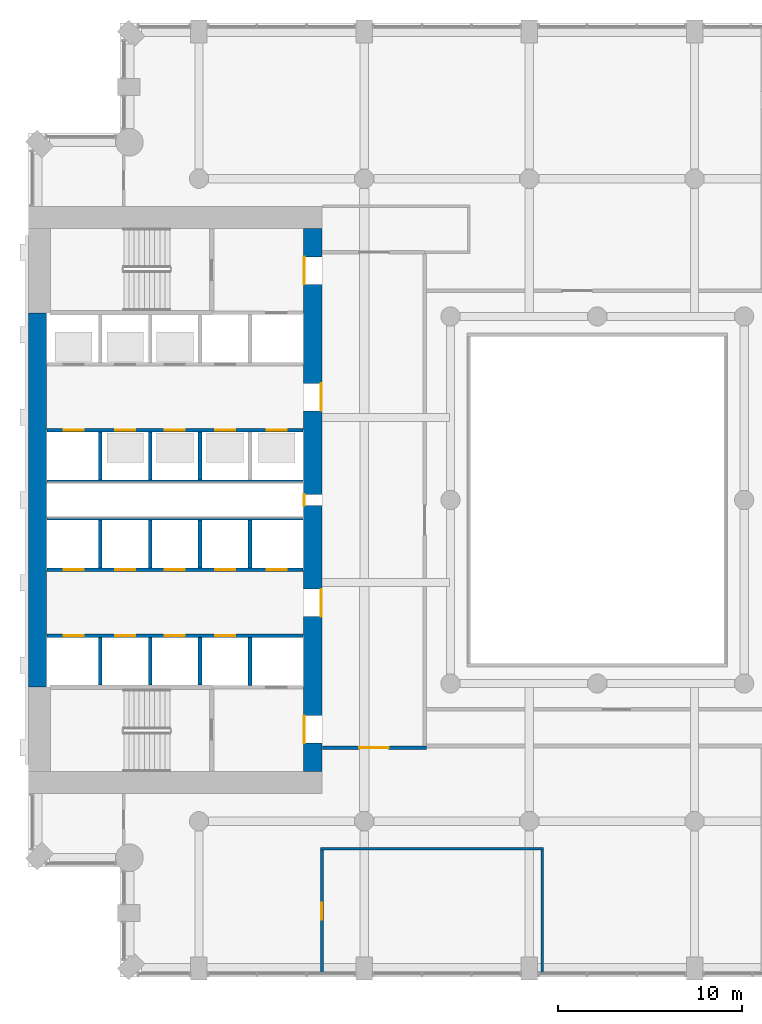
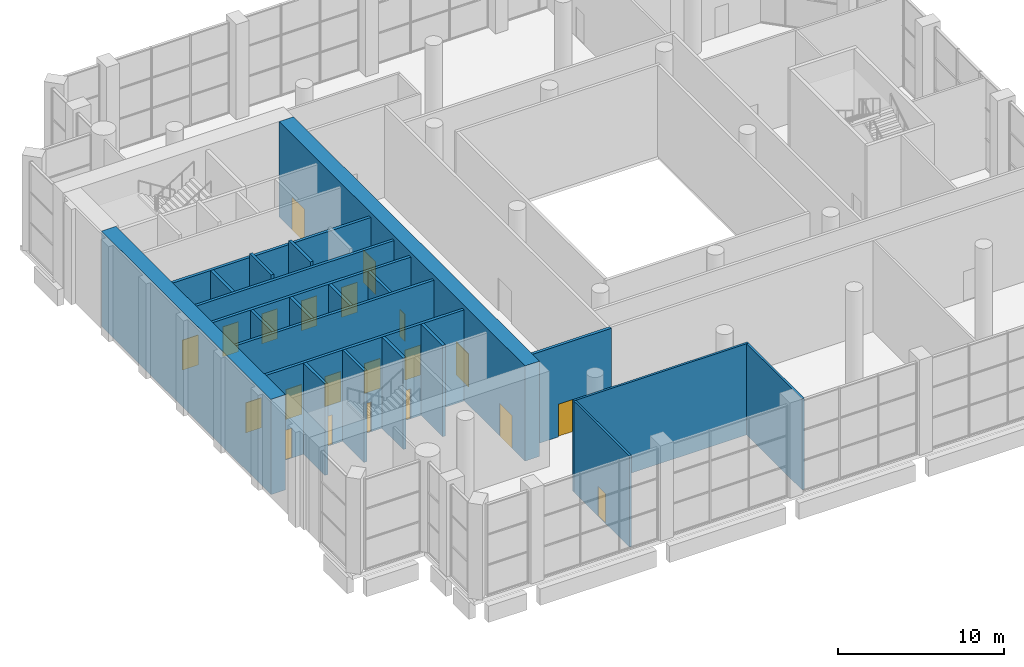
# One storey, part 12 of 22: 22 walls, 21 doors, 21 openings.
"""IFC4 building model written with IfcOpenShell, lengths in metres."""

from ifc_helpers import new_model, si_unit, direction, frame, frame_2d, origin, place, context, subcontext, project, spatial, rectangle, extrude, material, layer, layer_set, type_object, element, fill, save


model = new_model("IFC4")

# Units and contexts
model_context = context("Model", 3, precision=1e-05, world=origin(), true_north=direction((0.0, 1.0)))
body_context = subcontext(model_context, "Body", "Model", "MODEL_VIEW")
ifc_project = project(units=[si_unit("LENGTHUNIT", "METRE"), si_unit("AREAUNIT", "SQUARE_METRE"), si_unit("VOLUMEUNIT", "CUBIC_METRE"), si_unit("PLANEANGLEUNIT", "RADIAN"), si_unit("MASSUNIT", "GRAM", prefix="KILO")], contexts=[model_context])

# Site, building, storey
site_placement = place(None, origin())
site = spatial("IfcSite", under=ifc_project, at=site_placement, CompositionType="ELEMENT")
building_placement = place(site_placement, origin())
building = spatial("IfcBuilding", under=site, at=building_placement, Name="Cypress Arch Tower", CompositionType="ELEMENT")
storey_placement = place(building_placement, frame((0.0, 0.0, 145.5)))
storey = spatial("IfcBuildingStorey", under=building, at=storey_placement, Name="L32", CompositionType="ELEMENT", Elevation=145.5)

# Wall, openings, doors
ifc_material_1 = material(Name="Concrete C80/95", Category="concrete")
ifc_layer_1 = layer(ifc_material_1, 1.0)
ifc_layer_set_1 = layer_set([ifc_layer_1], Name="Core wall CW1000 C80/95")
wall_type_1 = type_object("IfcWallType", Name="Core wall CW1000 C80/95", PredefinedType="SHEAR", material=ifc_layer_set_1)
wall_1_placement = place(storey_placement, frame((-14.5, -14.800048828125, 0.0), z_axis=(0.0, 0.0, 1.0), x_axis=(0.0, 1.0, 0.0)))
wall_1 = element("IfcWall", 1, at=wall_1_placement, inside=storey, type_object=wall_type_1, Name="Core wall", PredefinedType="SHEAR", context=body_context, shape_type="SweptSolid", body=[
    extrude(rectangle(XDim=29.60009765625, YDim=1.0, at=frame_2d((14.800048828125, 0.0))), origin(), (0.0, 0.0, 1.0), 7.0),
])
opening_1_placement = place(wall_1_placement, frame((1.550048828125, 0.0, 0.0)))
opening_1 = element("IfcOpeningElement", 2, at=opening_1_placement, cuts=wall_1, Name="Opening D07", PredefinedType="OPENING", context=body_context, shape_type="SweptSolid", body=[
    extrude(rectangle(XDim=1.5, YDim=2.39990234375, at=frame_2d((0.75, 1.199951171875))), frame((0.0, 0.510009765625, 0.0), z_axis=(0.0, -1.0, 0.0), x_axis=(1.0, 0.0, 0.0)), (0.0, 0.0, 1.0), 1.02001953125),
])
opening_2_placement = place(wall_1_placement, frame((26.550048828125, 0.0, 0.0)))
opening_2 = element("IfcOpeningElement", 3, at=opening_2_placement, cuts=wall_1, Name="Opening D07", PredefinedType="OPENING", context=body_context, shape_type="SweptSolid", body=[
    extrude(rectangle(XDim=1.5, YDim=2.39990234375, at=frame_2d((0.75, 1.199951171875))), frame((0.0, 0.510009765625, 0.0), z_axis=(0.0, -1.0, 0.0), x_axis=(1.0, 0.0, 0.0)), (0.0, 0.0, 1.0), 1.02001953125),
])
opening_3_placement = place(wall_1_placement, frame((8.449951171875, 0.0, 0.0)))
opening_3 = element("IfcOpeningElement", 4, at=opening_3_placement, cuts=wall_1, Name="Opening D07", PredefinedType="OPENING", context=body_context, shape_type="SweptSolid", body=[
    extrude(rectangle(XDim=1.5, YDim=2.39990234375, at=frame_2d((0.75, 1.199951171875))), frame((0.0, 0.510009765625, 0.0), z_axis=(0.0, -1.0, 0.0), x_axis=(1.0, 0.0, 0.0)), (0.0, 0.0, 1.0), 1.02001953125),
])
opening_4_placement = place(wall_1_placement, frame((19.64990234375, 0.0, 0.0)))
opening_4 = element("IfcOpeningElement", 5, at=opening_4_placement, cuts=wall_1, Name="Opening D07", PredefinedType="OPENING", context=body_context, shape_type="SweptSolid", body=[
    extrude(rectangle(XDim=1.5, YDim=2.39990234375, at=frame_2d((0.75, 1.199951171875))), frame((0.0, 0.510009765625, 0.0), z_axis=(0.0, -1.0, 0.0), x_axis=(1.0, 0.0, 0.0)), (0.0, 0.0, 1.0), 1.02001953125),
])
opening_5_placement = place(wall_1_placement, frame((14.5, 0.0, 0.0)))
opening_5 = element("IfcOpeningElement", 6, at=opening_5_placement, cuts=wall_1, Name="Opening D08", PredefinedType="OPENING", context=body_context, shape_type="SweptSolid", body=[
    extrude(rectangle(XDim=0.60009765625, YDim=2.0, at=frame_2d((0.300048828125, 1.0))), frame((0.0, 0.510009765625, 0.0), z_axis=(0.0, -1.0, 0.0), x_axis=(1.0, 0.0, 0.0)), (0.0, 0.0, 1.0), 1.02001953125),
])
ifc_material_2 = material(Name="Steel framed glazed door, fire resisting", Category="steel")
door_type_1 = type_object("IfcDoorType", Name="Lobby door D07 1500x2400", OperationType="DOUBLE_DOOR_SINGLE_SWING", PredefinedType="DOOR", material=ifc_material_2)
door_1_placement = place(opening_1_placement, origin())
door_1 = element("IfcDoor", 7, at=door_1_placement, inside=storey, type_object=door_type_1, Name="Lobby door", OperationType="DOUBLE_DOOR_SINGLE_SWING", OverallHeight=2.39990234375, OverallWidth=1.5, PredefinedType="DOOR", context=body_context, shape_type="SweptSolid", body=[
    extrude(rectangle(XDim=1.5, YDim=2.39990234375, at=frame_2d((0.75, 1.199951171875))), frame((0.0, 0.4951171875, 0.0), z_axis=(0.0, -1.0, 0.0), x_axis=(1.0, 0.0, 0.0)), (0.0, 0.0, 1.0), 0.050048828125),
])
fill(opening_1, door_1)
door_2_placement = place(opening_2_placement, origin())
door_2 = element("IfcDoor", 8, at=door_2_placement, inside=storey, type_object=door_type_1, Name="Lobby door", OperationType="DOUBLE_DOOR_SINGLE_SWING", OverallHeight=2.39990234375, OverallWidth=1.5, PredefinedType="DOOR", context=body_context, shape_type="SweptSolid", body=[
    extrude(rectangle(XDim=1.5, YDim=2.39990234375, at=frame_2d((0.75, 1.199951171875))), frame((0.0, 0.4951171875, 0.0), z_axis=(0.0, -1.0, 0.0), x_axis=(1.0, 0.0, 0.0)), (0.0, 0.0, 1.0), 0.050048828125),
])
fill(opening_2, door_2)
door_3_placement = place(opening_3_placement, origin())
door_3 = element("IfcDoor", 9, at=door_3_placement, inside=storey, type_object=door_type_1, Name="Lobby door", OperationType="DOUBLE_DOOR_SINGLE_SWING", OverallHeight=2.39990234375, OverallWidth=1.5, PredefinedType="DOOR", context=body_context, shape_type="SweptSolid", body=[
    extrude(rectangle(XDim=1.5, YDim=2.39990234375, at=frame_2d((0.75, 1.199951171875))), frame((0.0, -0.44482421875, 0.0), z_axis=(0.0, -1.0, 0.0), x_axis=(1.0, 0.0, 0.0)), (0.0, 0.0, 1.0), 0.050048828125),
])
fill(opening_3, door_3)
door_4_placement = place(opening_4_placement, origin())
door_4 = element("IfcDoor", 10, at=door_4_placement, inside=storey, type_object=door_type_1, Name="Lobby door", OperationType="DOUBLE_DOOR_SINGLE_SWING", OverallHeight=2.39990234375, OverallWidth=1.5, PredefinedType="DOOR", context=body_context, shape_type="SweptSolid", body=[
    extrude(rectangle(XDim=1.5, YDim=2.39990234375, at=frame_2d((0.75, 1.199951171875))), frame((0.0, -0.44482421875, 0.0), z_axis=(0.0, -1.0, 0.0), x_axis=(1.0, 0.0, 0.0)), (0.0, 0.0, 1.0), 0.050048828125),
])
fill(opening_4, door_4)
ifc_material_3 = material(Name="Steel access door, fire resisting", Category="steel")
door_type_2 = type_object("IfcDoorType", Name="Riser access door D08 600x2000", OperationType="SINGLE_SWING_LEFT", PredefinedType="DOOR", material=ifc_material_3)
door_5_placement = place(opening_5_placement, origin())
door_5 = element("IfcDoor", 11, at=door_5_placement, inside=storey, type_object=door_type_2, Name="Riser access door", OperationType="SINGLE_SWING_RIGHT", OverallHeight=2.0, OverallWidth=0.60009765625, PredefinedType="DOOR", context=body_context, shape_type="SweptSolid", body=[
    extrude(rectangle(XDim=0.60009765625, YDim=2.0, at=frame_2d((0.300048828125, 1.0))), frame((0.0, 0.4951171875, 0.0), z_axis=(0.0, -1.0, 0.0), x_axis=(1.0, 0.0, 0.0)), (0.0, 0.0, 1.0), 0.050048828125),
])
fill(opening_5, door_5)

# Wall
wall_2_placement = place(storey_placement, frame((-29.5, -10.199951171875, 0.0), z_axis=(0.0, 0.0, 1.0), x_axis=(0.0, 1.0, 0.0)))
element("IfcWall", 12, at=wall_2_placement, inside=storey, type_object=wall_type_1, Name="Core wall", PredefinedType="SHEAR", context=body_context, shape_type="SweptSolid", body=[
    extrude(rectangle(XDim=20.39990234375, YDim=1.0, at=frame_2d((10.199951171875, 0.0))), origin(), (0.0, 0.0, 1.0), 7.0),
])

# Wall, opening, door
ifc_material_4 = material(Name="Concrete blockwork, plastered, rated", Category="masonry")
ifc_layer_2 = layer(ifc_material_4, 0.199951171875)
ifc_layer_set_2 = layer_set([ifc_layer_2], Name="Corridor wall FW200")
wall_type_2 = type_object("IfcWallType", Name="Corridor wall FW200", PredefinedType="PARTITIONING", material=ifc_layer_set_2)
wall_3_placement = place(storey_placement, frame((-13.969970703125, -13.5, 0.0), z_axis=(0.0, 0.0, 1.0), x_axis=(1.0, 0.0, 0.0)))
wall_3 = element("IfcWall", 13, at=wall_3_placement, inside=storey, type_object=wall_type_2, Name="Corridor wall", PredefinedType="PARTITIONING", context=body_context, shape_type="SweptSolid", body=[
    extrude(rectangle(XDim=5.669921875, YDim=0.199951171875, at=frame_2d((2.8349609375, 0.0))), origin(), (0.0, 0.0, 1.0), 6.699951171875),
])
opening_6_placement = place(wall_3_placement, frame((2.0, 0.0, 0.0)))
opening_6 = element("IfcOpeningElement", 14, at=opening_6_placement, cuts=wall_3, Name="Opening D10", PredefinedType="OPENING", context=body_context, shape_type="SweptSolid", body=[
    extrude(rectangle(XDim=1.60009765625, YDim=2.39990234375, at=frame_2d((0.800048828125, 1.199951171875))), frame((0.0, 0.10986328125, 0.0), z_axis=(0.0, -1.0, 0.0), x_axis=(1.0, 0.0, 0.0)), (0.0, 0.0, 1.0), 0.219970703125),
])
ifc_material_5 = material(Name="Black aluminium glazed door", Category="aluminium")
door_type_3 = type_object("IfcDoorType", Name="Amenity door D10 1600x2400", OperationType="DOUBLE_DOOR_SINGLE_SWING", PredefinedType="DOOR", material=ifc_material_5)
door_6_placement = place(opening_6_placement, origin())
door_6 = element("IfcDoor", 15, at=door_6_placement, inside=storey, type_object=door_type_3, Name="Amenity door", OperationType="DOUBLE_DOOR_SINGLE_SWING", OverallHeight=2.39990234375, OverallWidth=1.60009765625, PredefinedType="DOOR", context=body_context, shape_type="SweptSolid", body=[
    extrude(rectangle(XDim=1.60009765625, YDim=2.39990234375, at=frame_2d((0.800048828125, 1.199951171875))), frame((0.0, 0.02490234375, 0.0), z_axis=(0.0, -1.0, 0.0), x_axis=(1.0, 0.0, 0.0)), (0.0, 0.0, 1.0), 0.050048828125),
])
fill(opening_6, door_6)

ifc_material_6 = material(Name="Blockwork, plastered both sides", Category="masonry")
ifc_layer_3 = layer(ifc_material_6, 0.14990234375)
ifc_layer_set_3 = layer_set([ifc_layer_3], Name="Partition PW150")
wall_type_3 = type_object("IfcWallType", Name="Partition PW150", PredefinedType="PARTITIONING", material=ifc_layer_set_3)
wall_4_placement = place(storey_placement, frame((-14.0, -25.7548828125, 0.0), z_axis=(0.0, 0.0, 1.0), x_axis=(0.0, 1.0, 0.0)))
wall_4 = element("IfcWall", 16, at=wall_4_placement, inside=storey, type_object=wall_type_3, Name="Partition", PredefinedType="PARTITIONING", context=body_context, shape_type="SweptSolid", body=[
    extrude(rectangle(XDim=6.679931640625, YDim=0.14990234375, at=frame_2d((3.33984375, 0.0))), origin(), (0.0, 0.0, 1.0), 6.699951171875),
])
opening_7_placement = place(wall_4_placement, frame((2.89990234375, 0.0, 0.0)))
opening_7 = element("IfcOpeningElement", 17, at=opening_7_placement, cuts=wall_4, Name="Opening D05", PredefinedType="OPENING", context=body_context, shape_type="SweptSolid", body=[
    extrude(rectangle(XDim=0.89990234375, YDim=2.199951171875, at=frame_2d((0.449951171875, 1.10009765625))), frame((0.0, 0.0849609375, 0.0), z_axis=(0.0, -1.0, 0.0), x_axis=(1.0, 0.0, 0.0)), (0.0, 0.0, 1.0), 0.169921875),
])
ifc_material_7 = material(Name="Timber flush door", Category="wood")
door_type_4 = type_object("IfcDoorType", Name="Service door D05 900x2200", OperationType="SINGLE_SWING_LEFT", PredefinedType="DOOR", material=ifc_material_7)
door_7_placement = place(opening_7_placement, origin())
door_7 = element("IfcDoor", 18, at=door_7_placement, inside=storey, type_object=door_type_4, Name="Service door", OperationType="SINGLE_SWING_RIGHT", OverallHeight=2.199951171875, OverallWidth=0.89990234375, PredefinedType="DOOR", context=body_context, shape_type="SweptSolid", body=[
    extrude(rectangle(XDim=0.89990234375, YDim=2.199951171875, at=frame_2d((0.449951171875, 1.10009765625))), frame((0.0, 0.02490234375, 0.0), z_axis=(0.0, -1.0, 0.0), x_axis=(1.0, 0.0, 0.0)), (0.0, 0.0, 1.0), 0.050048828125),
])
fill(opening_7, door_7)

# Walls
wall_5_placement = place(storey_placement, frame((-14.074951171875, -19.0, 0.0), z_axis=(0.0, 0.0, 1.0), x_axis=(1.0, 0.0, 0.0)))
element("IfcWall", 19, at=wall_5_placement, inside=storey, type_object=wall_type_3, Name="Partition", PredefinedType="PARTITIONING", context=body_context, shape_type="SweptSolid", body=[
    extrude(rectangle(XDim=12.14990234375, YDim=0.14990234375, at=frame_2d((6.074951171875, 0.0))), origin(), (0.0, 0.0, 1.0), 6.699951171875),
])
wall_6_placement = place(storey_placement, frame((-2.0, -25.7548828125, 0.0), z_axis=(0.0, 0.0, 1.0), x_axis=(0.0, 1.0, 0.0)))
element("IfcWall", 20, at=wall_6_placement, inside=storey, type_object=wall_type_3, Name="Partition", PredefinedType="PARTITIONING", context=body_context, shape_type="SweptSolid", body=[
    extrude(rectangle(XDim=6.679931640625, YDim=0.14990234375, at=frame_2d((3.33984375, 0.0))), origin(), (0.0, 0.0, 1.0), 6.699951171875),
])

# Wall, openings, doors
ifc_material_8 = material(Name="Concrete C50/60", Category="concrete")
ifc_layer_4 = layer(ifc_material_8, 0.199951171875)
ifc_layer_set_4 = layer_set([ifc_layer_4], Name="Shaft wall SH200")
wall_type_4 = type_object("IfcWallType", Name="Shaft wall SH200", PredefinedType="SHEAR", material=ifc_layer_set_4)
wall_7_placement = place(storey_placement, frame((-28.969970703125, -7.39990234375, 0.0), z_axis=(0.0, 0.0, 1.0), x_axis=(1.0, 0.0, 0.0)))
wall_7 = element("IfcWall", 21, at=wall_7_placement, inside=storey, type_object=wall_type_4, Name="Shaft wall", PredefinedType="SHEAR", context=body_context, shape_type="SweptSolid", body=[
    extrude(rectangle(XDim=13.93994140625, YDim=0.199951171875, at=frame_2d((6.969970703125, 0.0))), origin(), (0.0, 0.0, 1.0), 6.699951171875),
])
opening_8_placement = place(wall_7_placement, frame((0.89990234375, 0.0, 0.0)))
opening_8 = element("IfcOpeningElement", 22, at=opening_8_placement, cuts=wall_7, Name="Opening LD-LR1", PredefinedType="OPENING", context=body_context, shape_type="SweptSolid", body=[
    extrude(rectangle(XDim=1.10009765625, YDim=2.199951171875, at=frame_2d((0.550048828125, 1.10009765625))), frame((0.0, 0.10986328125, 0.0), z_axis=(0.0, -1.0, 0.0), x_axis=(1.0, 0.0, 0.0)), (0.0, 0.0, 1.0), 0.219970703125),
])
opening_9_placement = place(wall_7_placement, frame((3.699951171875, 0.0, 0.0)))
opening_9 = element("IfcOpeningElement", 23, at=opening_9_placement, cuts=wall_7, Name="Opening LD-LR2", PredefinedType="OPENING", context=body_context, shape_type="SweptSolid", body=[
    extrude(rectangle(XDim=1.10009765625, YDim=2.199951171875, at=frame_2d((0.550048828125, 1.10009765625))), frame((0.0, 0.10986328125, 0.0), z_axis=(0.0, -1.0, 0.0), x_axis=(1.0, 0.0, 0.0)), (0.0, 0.0, 1.0), 0.219970703125),
])
opening_10_placement = place(wall_7_placement, frame((6.39990234375, 0.0, 0.0)))
opening_10 = element("IfcOpeningElement", 24, at=opening_10_placement, cuts=wall_7, Name="Opening LD-LR3", PredefinedType="OPENING", context=body_context, shape_type="SweptSolid", body=[
    extrude(rectangle(XDim=1.10009765625, YDim=2.199951171875, at=frame_2d((0.550048828125, 1.10009765625))), frame((0.0, 0.10986328125, 0.0), z_axis=(0.0, -1.0, 0.0), x_axis=(1.0, 0.0, 0.0)), (0.0, 0.0, 1.0), 0.219970703125),
])
opening_11_placement = place(wall_7_placement, frame((9.14990234375, 0.0, 0.0)))
opening_11 = element("IfcOpeningElement", 25, at=opening_11_placement, cuts=wall_7, Name="Opening LD-LR4", PredefinedType="OPENING", context=body_context, shape_type="SweptSolid", body=[
    extrude(rectangle(XDim=1.10009765625, YDim=2.199951171875, at=frame_2d((0.550048828125, 1.10009765625))), frame((0.0, 0.10986328125, 0.0), z_axis=(0.0, -1.0, 0.0), x_axis=(1.0, 0.0, 0.0)), (0.0, 0.0, 1.0), 0.219970703125),
])
ifc_material_9 = material(Name="Stainless steel centre-opening landing door, rated", Category="steel")
door_type_5 = type_object("IfcDoorType", Name="Lift landing door LD 1100x2200", OperationType="DOUBLE_DOOR_SLIDING", PredefinedType="DOOR", material=ifc_material_9)
door_8_placement = place(opening_8_placement, origin())
door_8 = element("IfcDoor", 26, at=door_8_placement, inside=storey, type_object=door_type_5, Name="Lift landing doors LR1", OperationType="DOUBLE_DOOR_SLIDING", OverallHeight=2.199951171875, OverallWidth=1.10009765625, PredefinedType="DOOR", context=body_context, shape_type="SweptSolid", body=[
    extrude(rectangle(XDim=1.10009765625, YDim=2.199951171875, at=frame_2d((0.550048828125, 1.10009765625))), frame((0.0, 0.02490234375, 0.0), z_axis=(0.0, -1.0, 0.0), x_axis=(1.0, 0.0, 0.0)), (0.0, 0.0, 1.0), 0.050048828125),
])
fill(opening_8, door_8)
door_9_placement = place(opening_9_placement, origin())
door_9 = element("IfcDoor", 27, at=door_9_placement, inside=storey, type_object=door_type_5, Name="Lift landing doors LR2", OperationType="DOUBLE_DOOR_SLIDING", OverallHeight=2.199951171875, OverallWidth=1.10009765625, PredefinedType="DOOR", context=body_context, shape_type="SweptSolid", body=[
    extrude(rectangle(XDim=1.10009765625, YDim=2.199951171875, at=frame_2d((0.550048828125, 1.10009765625))), frame((0.0, 0.02490234375, 0.0), z_axis=(0.0, -1.0, 0.0), x_axis=(1.0, 0.0, 0.0)), (0.0, 0.0, 1.0), 0.050048828125),
])
fill(opening_9, door_9)
door_10_placement = place(opening_10_placement, origin())
door_10 = element("IfcDoor", 28, at=door_10_placement, inside=storey, type_object=door_type_5, Name="Lift landing doors LR3", OperationType="DOUBLE_DOOR_SLIDING", OverallHeight=2.199951171875, OverallWidth=1.10009765625, PredefinedType="DOOR", context=body_context, shape_type="SweptSolid", body=[
    extrude(rectangle(XDim=1.10009765625, YDim=2.199951171875, at=frame_2d((0.550048828125, 1.10009765625))), frame((0.0, 0.02490234375, 0.0), z_axis=(0.0, -1.0, 0.0), x_axis=(1.0, 0.0, 0.0)), (0.0, 0.0, 1.0), 0.050048828125),
])
fill(opening_10, door_10)
door_11_placement = place(opening_11_placement, origin())
door_11 = element("IfcDoor", 29, at=door_11_placement, inside=storey, type_object=door_type_5, Name="Lift landing doors LR4", OperationType="DOUBLE_DOOR_SLIDING", OverallHeight=2.199951171875, OverallWidth=1.10009765625, PredefinedType="DOOR", context=body_context, shape_type="SweptSolid", body=[
    extrude(rectangle(XDim=1.10009765625, YDim=2.199951171875, at=frame_2d((0.550048828125, 1.10009765625))), frame((0.0, 0.02490234375, 0.0), z_axis=(0.0, -1.0, 0.0), x_axis=(1.0, 0.0, 0.0)), (0.0, 0.0, 1.0), 0.050048828125),
])
fill(opening_11, door_11)

wall_8_placement = place(storey_placement, frame((-28.969970703125, -3.800048828125, 0.0), z_axis=(0.0, 0.0, 1.0), x_axis=(1.0, 0.0, 0.0)))
wall_8 = element("IfcWall", 30, at=wall_8_placement, inside=storey, type_object=wall_type_4, Name="Shaft wall", PredefinedType="SHEAR", context=body_context, shape_type="SweptSolid", body=[
    extrude(rectangle(XDim=13.93994140625, YDim=0.199951171875, at=frame_2d((6.969970703125, 0.0))), origin(), (0.0, 0.0, 1.0), 6.699951171875),
])
opening_12_placement = place(wall_8_placement, frame((0.89990234375, 0.0, 0.0)))
opening_12 = element("IfcOpeningElement", 31, at=opening_12_placement, cuts=wall_8, Name="Opening LD-SH1", PredefinedType="OPENING", context=body_context, shape_type="SweptSolid", body=[
    extrude(rectangle(XDim=1.10009765625, YDim=2.199951171875, at=frame_2d((0.550048828125, 1.10009765625))), frame((0.0, 0.10986328125, 0.0), z_axis=(0.0, -1.0, 0.0), x_axis=(1.0, 0.0, 0.0)), (0.0, 0.0, 1.0), 0.219970703125),
])
opening_13_placement = place(wall_8_placement, frame((3.699951171875, 0.0, 0.0)))
opening_13 = element("IfcOpeningElement", 32, at=opening_13_placement, cuts=wall_8, Name="Opening LD-LR5", PredefinedType="OPENING", context=body_context, shape_type="SweptSolid", body=[
    extrude(rectangle(XDim=1.10009765625, YDim=2.199951171875, at=frame_2d((0.550048828125, 1.10009765625))), frame((0.0, 0.10986328125, 0.0), z_axis=(0.0, -1.0, 0.0), x_axis=(1.0, 0.0, 0.0)), (0.0, 0.0, 1.0), 0.219970703125),
])
opening_14_placement = place(wall_8_placement, frame((6.39990234375, 0.0, 0.0)))
opening_14 = element("IfcOpeningElement", 33, at=opening_14_placement, cuts=wall_8, Name="Opening LD-LR6", PredefinedType="OPENING", context=body_context, shape_type="SweptSolid", body=[
    extrude(rectangle(XDim=1.10009765625, YDim=2.199951171875, at=frame_2d((0.550048828125, 1.10009765625))), frame((0.0, 0.10986328125, 0.0), z_axis=(0.0, -1.0, 0.0), x_axis=(1.0, 0.0, 0.0)), (0.0, 0.0, 1.0), 0.219970703125),
])
opening_15_placement = place(wall_8_placement, frame((9.14990234375, 0.0, 0.0)))
opening_15 = element("IfcOpeningElement", 34, at=opening_15_placement, cuts=wall_8, Name="Opening LD-LR7", PredefinedType="OPENING", context=body_context, shape_type="SweptSolid", body=[
    extrude(rectangle(XDim=1.10009765625, YDim=2.199951171875, at=frame_2d((0.550048828125, 1.10009765625))), frame((0.0, 0.10986328125, 0.0), z_axis=(0.0, -1.0, 0.0), x_axis=(1.0, 0.0, 0.0)), (0.0, 0.0, 1.0), 0.219970703125),
])
opening_16_placement = place(wall_8_placement, frame((11.949951171875, 0.0, 0.0)))
opening_16 = element("IfcOpeningElement", 35, at=opening_16_placement, cuts=wall_8, Name="Opening LD-LR8", PredefinedType="OPENING", context=body_context, shape_type="SweptSolid", body=[
    extrude(rectangle(XDim=1.10009765625, YDim=2.199951171875, at=frame_2d((0.550048828125, 1.10009765625))), frame((0.0, 0.10986328125, 0.0), z_axis=(0.0, -1.0, 0.0), x_axis=(1.0, 0.0, 0.0)), (0.0, 0.0, 1.0), 0.219970703125),
])
door_12_placement = place(opening_12_placement, origin())
door_12 = element("IfcDoor", 36, at=door_12_placement, inside=storey, type_object=door_type_5, Name="Lift landing doors SH1", OperationType="DOUBLE_DOOR_SLIDING", OverallHeight=2.199951171875, OverallWidth=1.10009765625, PredefinedType="DOOR", context=body_context, shape_type="SweptSolid", body=[
    extrude(rectangle(XDim=1.10009765625, YDim=2.199951171875, at=frame_2d((0.550048828125, 1.10009765625))), frame((0.0, 0.02490234375, 0.0), z_axis=(0.0, -1.0, 0.0), x_axis=(1.0, 0.0, 0.0)), (0.0, 0.0, 1.0), 0.050048828125),
])
fill(opening_12, door_12)
door_13_placement = place(opening_13_placement, origin())
door_13 = element("IfcDoor", 37, at=door_13_placement, inside=storey, type_object=door_type_5, Name="Lift landing doors LR5", OperationType="DOUBLE_DOOR_SLIDING", OverallHeight=2.199951171875, OverallWidth=1.10009765625, PredefinedType="DOOR", context=body_context, shape_type="SweptSolid", body=[
    extrude(rectangle(XDim=1.10009765625, YDim=2.199951171875, at=frame_2d((0.550048828125, 1.10009765625))), frame((0.0, 0.02490234375, 0.0), z_axis=(0.0, -1.0, 0.0), x_axis=(1.0, 0.0, 0.0)), (0.0, 0.0, 1.0), 0.050048828125),
])
fill(opening_13, door_13)
door_14_placement = place(opening_14_placement, origin())
door_14 = element("IfcDoor", 38, at=door_14_placement, inside=storey, type_object=door_type_5, Name="Lift landing doors LR6", OperationType="DOUBLE_DOOR_SLIDING", OverallHeight=2.199951171875, OverallWidth=1.10009765625, PredefinedType="DOOR", context=body_context, shape_type="SweptSolid", body=[
    extrude(rectangle(XDim=1.10009765625, YDim=2.199951171875, at=frame_2d((0.550048828125, 1.10009765625))), frame((0.0, 0.02490234375, 0.0), z_axis=(0.0, -1.0, 0.0), x_axis=(1.0, 0.0, 0.0)), (0.0, 0.0, 1.0), 0.050048828125),
])
fill(opening_14, door_14)
door_15_placement = place(opening_15_placement, origin())
door_15 = element("IfcDoor", 39, at=door_15_placement, inside=storey, type_object=door_type_5, Name="Lift landing doors LR7", OperationType="DOUBLE_DOOR_SLIDING", OverallHeight=2.199951171875, OverallWidth=1.10009765625, PredefinedType="DOOR", context=body_context, shape_type="SweptSolid", body=[
    extrude(rectangle(XDim=1.10009765625, YDim=2.199951171875, at=frame_2d((0.550048828125, 1.10009765625))), frame((0.0, 0.02490234375, 0.0), z_axis=(0.0, -1.0, 0.0), x_axis=(1.0, 0.0, 0.0)), (0.0, 0.0, 1.0), 0.050048828125),
])
fill(opening_15, door_15)
door_16_placement = place(opening_16_placement, origin())
door_16 = element("IfcDoor", 40, at=door_16_placement, inside=storey, type_object=door_type_5, Name="Lift landing doors LR8", OperationType="DOUBLE_DOOR_SLIDING", OverallHeight=2.199951171875, OverallWidth=1.10009765625, PredefinedType="DOOR", context=body_context, shape_type="SweptSolid", body=[
    extrude(rectangle(XDim=1.10009765625, YDim=2.199951171875, at=frame_2d((0.550048828125, 1.10009765625))), frame((0.0, 0.02490234375, 0.0), z_axis=(0.0, -1.0, 0.0), x_axis=(1.0, 0.0, 0.0)), (0.0, 0.0, 1.0), 0.050048828125),
])
fill(opening_16, door_16)

# Walls
for number, where, z_axis, x_axis, name in (
    (41, (-28.969970703125, -1.0, 0.0), (0.0, 0.0, 1.0), (1.0, 0.0, 0.0), "Shaft wall"),
    (42, (-28.969970703125, 1.0, 0.0), (0.0, 0.0, 1.0), (1.0, 0.0, 0.0), "Shaft wall"),
):
    element("IfcWall", number, at=place(storey_placement, frame(where, z_axis=z_axis, x_axis=x_axis)), inside=storey, type_object=wall_type_4, Name=name, PredefinedType="SHEAR", context=body_context, shape_type="SweptSolid", body=[
        extrude(rectangle(XDim=13.93994140625, YDim=0.199951171875, at=frame_2d((6.969970703125, 0.0))), origin(), (0.0, 0.0, 1.0), 6.699951171875),
    ])

# Wall, openings, doors
wall_9_placement = place(storey_placement, frame((-28.969970703125, 3.800048828125, 0.0), z_axis=(0.0, 0.0, 1.0), x_axis=(1.0, 0.0, 0.0)))
wall_9 = element("IfcWall", 43, at=wall_9_placement, inside=storey, type_object=wall_type_4, Name="Shaft wall", PredefinedType="SHEAR", context=body_context, shape_type="SweptSolid", body=[
    extrude(rectangle(XDim=13.93994140625, YDim=0.199951171875, at=frame_2d((6.969970703125, 0.0))), origin(), (0.0, 0.0, 1.0), 6.699951171875),
])
opening_17_placement = place(wall_9_placement, frame((0.89990234375, 0.0, 0.0)))
opening_17 = element("IfcOpeningElement", 44, at=opening_17_placement, cuts=wall_9, Name="Opening LD-SH2", PredefinedType="OPENING", context=body_context, shape_type="SweptSolid", body=[
    extrude(rectangle(XDim=1.10009765625, YDim=2.199951171875, at=frame_2d((0.550048828125, 1.10009765625))), frame((0.0, 0.10986328125, 0.0), z_axis=(0.0, -1.0, 0.0), x_axis=(1.0, 0.0, 0.0)), (0.0, 0.0, 1.0), 0.219970703125),
])
opening_18_placement = place(wall_9_placement, frame((3.699951171875, 0.0, 0.0)))
opening_18 = element("IfcOpeningElement", 45, at=opening_18_placement, cuts=wall_9, Name="Opening LD-HR1", PredefinedType="OPENING", context=body_context, shape_type="SweptSolid", body=[
    extrude(rectangle(XDim=1.10009765625, YDim=2.199951171875, at=frame_2d((0.550048828125, 1.10009765625))), frame((0.0, 0.10986328125, 0.0), z_axis=(0.0, -1.0, 0.0), x_axis=(1.0, 0.0, 0.0)), (0.0, 0.0, 1.0), 0.219970703125),
])
opening_19_placement = place(wall_9_placement, frame((6.39990234375, 0.0, 0.0)))
opening_19 = element("IfcOpeningElement", 46, at=opening_19_placement, cuts=wall_9, Name="Opening LD-HR2", PredefinedType="OPENING", context=body_context, shape_type="SweptSolid", body=[
    extrude(rectangle(XDim=1.10009765625, YDim=2.199951171875, at=frame_2d((0.550048828125, 1.10009765625))), frame((0.0, 0.10986328125, 0.0), z_axis=(0.0, -1.0, 0.0), x_axis=(1.0, 0.0, 0.0)), (0.0, 0.0, 1.0), 0.219970703125),
])
opening_20_placement = place(wall_9_placement, frame((9.14990234375, 0.0, 0.0)))
opening_20 = element("IfcOpeningElement", 47, at=opening_20_placement, cuts=wall_9, Name="Opening LD-HR3", PredefinedType="OPENING", context=body_context, shape_type="SweptSolid", body=[
    extrude(rectangle(XDim=1.10009765625, YDim=2.199951171875, at=frame_2d((0.550048828125, 1.10009765625))), frame((0.0, 0.10986328125, 0.0), z_axis=(0.0, -1.0, 0.0), x_axis=(1.0, 0.0, 0.0)), (0.0, 0.0, 1.0), 0.219970703125),
])
opening_21_placement = place(wall_9_placement, frame((11.949951171875, 0.0, 0.0)))
opening_21 = element("IfcOpeningElement", 48, at=opening_21_placement, cuts=wall_9, Name="Opening LD-HR4", PredefinedType="OPENING", context=body_context, shape_type="SweptSolid", body=[
    extrude(rectangle(XDim=1.10009765625, YDim=2.199951171875, at=frame_2d((0.550048828125, 1.10009765625))), frame((0.0, 0.10986328125, 0.0), z_axis=(0.0, -1.0, 0.0), x_axis=(1.0, 0.0, 0.0)), (0.0, 0.0, 1.0), 0.219970703125),
])
door_17_placement = place(opening_17_placement, origin())
door_17 = element("IfcDoor", 49, at=door_17_placement, inside=storey, type_object=door_type_5, Name="Lift landing doors SH2", OperationType="DOUBLE_DOOR_SLIDING", OverallHeight=2.199951171875, OverallWidth=1.10009765625, PredefinedType="DOOR", context=body_context, shape_type="SweptSolid", body=[
    extrude(rectangle(XDim=1.10009765625, YDim=2.199951171875, at=frame_2d((0.550048828125, 1.10009765625))), frame((0.0, 0.02490234375, 0.0), z_axis=(0.0, -1.0, 0.0), x_axis=(1.0, 0.0, 0.0)), (0.0, 0.0, 1.0), 0.050048828125),
])
fill(opening_17, door_17)
door_18_placement = place(opening_18_placement, origin())
door_18 = element("IfcDoor", 50, at=door_18_placement, inside=storey, type_object=door_type_5, Name="Lift landing doors HR1", OperationType="DOUBLE_DOOR_SLIDING", OverallHeight=2.199951171875, OverallWidth=1.10009765625, PredefinedType="DOOR", context=body_context, shape_type="SweptSolid", body=[
    extrude(rectangle(XDim=1.10009765625, YDim=2.199951171875, at=frame_2d((0.550048828125, 1.10009765625))), frame((0.0, 0.02490234375, 0.0), z_axis=(0.0, -1.0, 0.0), x_axis=(1.0, 0.0, 0.0)), (0.0, 0.0, 1.0), 0.050048828125),
])
fill(opening_18, door_18)
door_19_placement = place(opening_19_placement, origin())
door_19 = element("IfcDoor", 51, at=door_19_placement, inside=storey, type_object=door_type_5, Name="Lift landing doors HR2", OperationType="DOUBLE_DOOR_SLIDING", OverallHeight=2.199951171875, OverallWidth=1.10009765625, PredefinedType="DOOR", context=body_context, shape_type="SweptSolid", body=[
    extrude(rectangle(XDim=1.10009765625, YDim=2.199951171875, at=frame_2d((0.550048828125, 1.10009765625))), frame((0.0, 0.02490234375, 0.0), z_axis=(0.0, -1.0, 0.0), x_axis=(1.0, 0.0, 0.0)), (0.0, 0.0, 1.0), 0.050048828125),
])
fill(opening_19, door_19)
door_20_placement = place(opening_20_placement, origin())
door_20 = element("IfcDoor", 52, at=door_20_placement, inside=storey, type_object=door_type_5, Name="Lift landing doors HR3", OperationType="DOUBLE_DOOR_SLIDING", OverallHeight=2.199951171875, OverallWidth=1.10009765625, PredefinedType="DOOR", context=body_context, shape_type="SweptSolid", body=[
    extrude(rectangle(XDim=1.10009765625, YDim=2.199951171875, at=frame_2d((0.550048828125, 1.10009765625))), frame((0.0, 0.02490234375, 0.0), z_axis=(0.0, -1.0, 0.0), x_axis=(1.0, 0.0, 0.0)), (0.0, 0.0, 1.0), 0.050048828125),
])
fill(opening_20, door_20)
door_21_placement = place(opening_21_placement, origin())
door_21 = element("IfcDoor", 53, at=door_21_placement, inside=storey, type_object=door_type_5, Name="Lift landing doors HR4", OperationType="DOUBLE_DOOR_SLIDING", OverallHeight=2.199951171875, OverallWidth=1.10009765625, PredefinedType="DOOR", context=body_context, shape_type="SweptSolid", body=[
    extrude(rectangle(XDim=1.10009765625, YDim=2.199951171875, at=frame_2d((0.550048828125, 1.10009765625))), frame((0.0, 0.02490234375, 0.0), z_axis=(0.0, -1.0, 0.0), x_axis=(1.0, 0.0, 0.0)), (0.0, 0.0, 1.0), 0.050048828125),
])
fill(opening_21, door_21)

# Walls
wall_10_placement = place(storey_placement, frame((-26.080078125, -10.074951171875, 0.0), z_axis=(0.0, 0.0, 1.0), x_axis=(0.0, 1.0, 0.0)))
element("IfcWall", 54, at=wall_10_placement, inside=storey, type_object=wall_type_4, Name="Shaft wall", PredefinedType="SHEAR", context=body_context, shape_type="SweptSolid", body=[
    extrude(rectangle(XDim=2.574951171875, YDim=0.199951171875, at=frame_2d((1.28759765625, 0.0))), origin(), (0.0, 0.0, 1.0), 6.699951171875),
])
for number, where, z_axis, x_axis, name in (
    (55, (-26.080078125, -3.699951171875, 0.0), (0.0, 0.0, 1.0), (0.0, 1.0, 0.0), "Shaft wall"),
    (56, (-26.080078125, 1.10009765625, 0.0), (0.0, 0.0, 1.0), (0.0, 1.0, 0.0), "Shaft wall"),
):
    element("IfcWall", number, at=place(storey_placement, frame(where, z_axis=z_axis, x_axis=x_axis)), inside=storey, type_object=wall_type_4, Name=name, PredefinedType="SHEAR", context=body_context, shape_type="SweptSolid", body=[
        extrude(rectangle(XDim=2.599853515625, YDim=0.199951171875, at=frame_2d((1.2998046875, 0.0))), origin(), (0.0, 0.0, 1.0), 6.699951171875),
    ])
wall_11_placement = place(storey_placement, frame((-23.360107421875, -10.074951171875, 0.0), z_axis=(0.0, 0.0, 1.0), x_axis=(0.0, 1.0, 0.0)))
element("IfcWall", 57, at=wall_11_placement, inside=storey, type_object=wall_type_4, Name="Shaft wall", PredefinedType="SHEAR", context=body_context, shape_type="SweptSolid", body=[
    extrude(rectangle(XDim=2.574951171875, YDim=0.199951171875, at=frame_2d((1.28759765625, 0.0))), origin(), (0.0, 0.0, 1.0), 6.699951171875),
])
wall_12_placement = place(storey_placement, frame((-23.360107421875, -3.699951171875, 0.0), z_axis=(0.0, 0.0, 1.0), x_axis=(0.0, 1.0, 0.0)))
element("IfcWall", 58, at=wall_12_placement, inside=storey, type_object=wall_type_4, Name="Shaft wall", PredefinedType="SHEAR", context=body_context, shape_type="SweptSolid", body=[
    extrude(rectangle(XDim=2.599853515625, YDim=0.199951171875, at=frame_2d((1.2998046875, 0.0))), origin(), (0.0, 0.0, 1.0), 6.699951171875),
])
wall_13_placement = place(storey_placement, frame((-23.360107421875, 1.10009765625, -1.0), z_axis=(0.0, 0.0, 1.0), x_axis=(0.0, 1.0, 0.0)))
element("IfcWall", 59, at=wall_13_placement, inside=storey, type_object=wall_type_4, Name="Shaft wall", PredefinedType="SHEAR", context=body_context, shape_type="SweptSolid", body=[
    extrude(rectangle(XDim=2.599853515625, YDim=0.199951171875, at=frame_2d((1.2998046875, 0.0))), origin(), (0.0, 0.0, 1.0), 8.0),
])
wall_14_placement = place(storey_placement, frame((-20.639892578125, -10.074951171875, 0.0), z_axis=(0.0, 0.0, 1.0), x_axis=(0.0, 1.0, 0.0)))
element("IfcWall", 60, at=wall_14_placement, inside=storey, type_object=wall_type_4, Name="Shaft wall", PredefinedType="SHEAR", context=body_context, shape_type="SweptSolid", body=[
    extrude(rectangle(XDim=2.574951171875, YDim=0.199951171875, at=frame_2d((1.28759765625, 0.0))), origin(), (0.0, 0.0, 1.0), 6.699951171875),
])
wall_15_placement = place(storey_placement, frame((-20.639892578125, -3.699951171875, 0.0), z_axis=(0.0, 0.0, 1.0), x_axis=(0.0, 1.0, 0.0)))
element("IfcWall", 61, at=wall_15_placement, inside=storey, type_object=wall_type_4, Name="Shaft wall", PredefinedType="SHEAR", context=body_context, shape_type="SweptSolid", body=[
    extrude(rectangle(XDim=2.599853515625, YDim=0.199951171875, at=frame_2d((1.2998046875, 0.0))), origin(), (0.0, 0.0, 1.0), 6.699951171875),
])
wall_16_placement = place(storey_placement, frame((-20.639892578125, 1.10009765625, -1.0), z_axis=(0.0, 0.0, 1.0), x_axis=(0.0, 1.0, 0.0)))
element("IfcWall", 62, at=wall_16_placement, inside=storey, type_object=wall_type_4, Name="Shaft wall", PredefinedType="SHEAR", context=body_context, shape_type="SweptSolid", body=[
    extrude(rectangle(XDim=2.599853515625, YDim=0.199951171875, at=frame_2d((1.2998046875, 0.0))), origin(), (0.0, 0.0, 1.0), 8.0),
])
wall_17_placement = place(storey_placement, frame((-17.919921875, -10.10009765625, 0.0), z_axis=(0.0, 0.0, 1.0), x_axis=(0.0, 1.0, 0.0)))
element("IfcWall", 63, at=wall_17_placement, inside=storey, type_object=wall_type_4, Name="Shaft wall", PredefinedType="SHEAR", context=body_context, shape_type="SweptSolid", body=[
    extrude(rectangle(XDim=2.60009765625, YDim=0.199951171875, at=frame_2d((1.300048828125, 0.0))), origin(), (0.0, 0.0, 1.0), 6.699951171875),
])
wall_18_placement = place(storey_placement, frame((-17.919921875, -3.699951171875, 0.0), z_axis=(0.0, 0.0, 1.0), x_axis=(0.0, 1.0, 0.0)))
element("IfcWall", 64, at=wall_18_placement, inside=storey, type_object=wall_type_4, Name="Shaft wall", PredefinedType="SHEAR", context=body_context, shape_type="SweptSolid", body=[
    extrude(rectangle(XDim=2.599853515625, YDim=0.199951171875, at=frame_2d((1.2998046875, 0.0))), origin(), (0.0, 0.0, 1.0), 6.699951171875),
])

save(model, "model.ifc")
